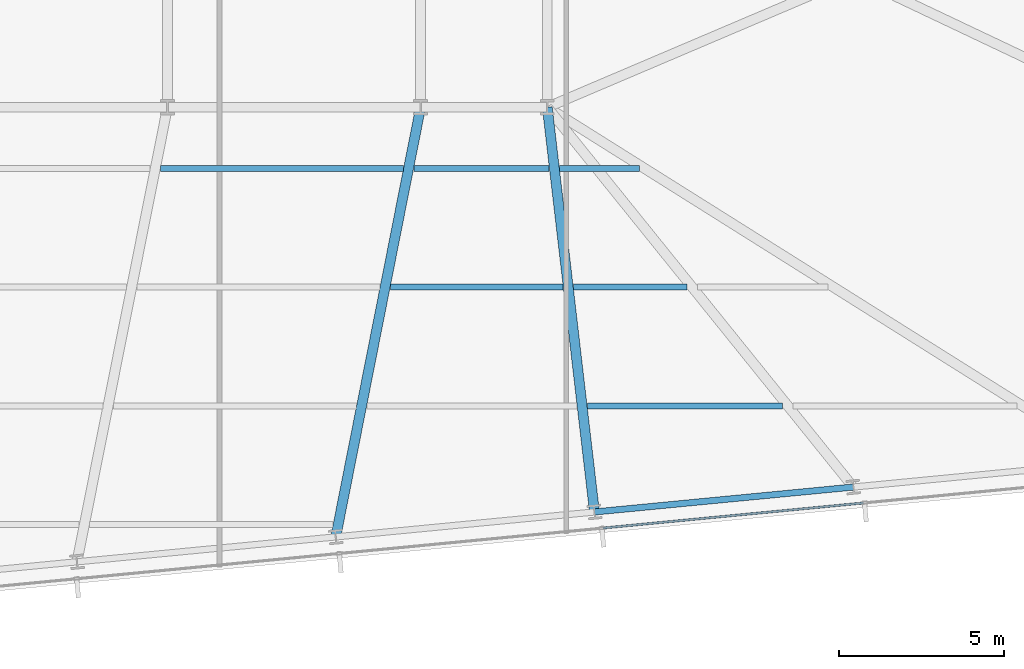
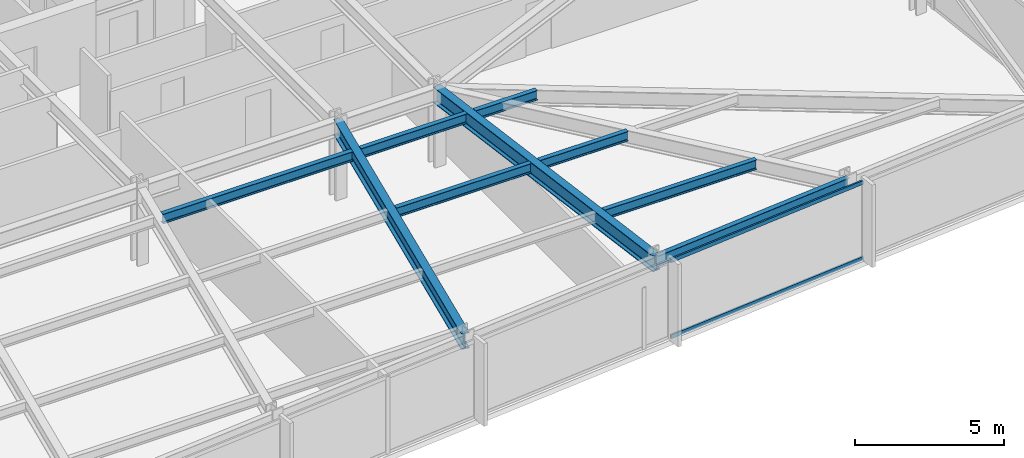
# One storey, part 11 of 32: 9 beams, 2 members, 1 element without a shape of its own.
"""IFC4 building model written with IfcOpenShell, lengths in metres."""

import ifcopenshell
import ifcopenshell.guid

model = None  # the IFC model being written
_history = None  # IfcOwnerHistory: only IFC2X3 demands one
_inside = {}  # id of a spatial element -> (the spatial element, [elements in it])
_under = {}  # id of a project, library or spatial element -> (it, [spatial elements below it])
_declared = {}  # id of a project -> (the project, [libraries it declares])
_typed = {}  # id of a type object -> (the type object, [elements of that type])
_made_of = {}  # id of a material, layer set ... -> (it, [elements and type objects made of it])


def new_model(schema):
    """Start an empty IFC model of exactly this schema.

    Asked for "IFC4X3", IfcOpenShell would pick the latest addendum, in which some entities
    have other attributes; the version numbers below select the first issue.
    IFC2X3 requires an IfcOwnerHistory on every rooted entity: one is made here for all.
    """
    global model, _history
    if schema == "IFC4X3":
        model = ifcopenshell.file(schema_version=(4, 3, 0, 0))
    else:
        model = ifcopenshell.file(schema=schema)
    _inside.clear()
    _under.clear()
    _declared.clear()
    _typed.clear()
    _made_of.clear()
    _history = None
    if model.schema == "IFC2X3":
        org = make("IfcOrganization", Name="unknown")
        user = make(
            "IfcPersonAndOrganization",
            ThePerson=make("IfcPerson", FamilyName="unknown"),
            TheOrganization=org,
        )
        app = make(
            "IfcApplication",
            ApplicationDeveloper=org,
            Version="unknown",
            ApplicationFullName="unknown",
            ApplicationIdentifier="unknown",
        )
        _history = make(
            "IfcOwnerHistory",
            OwningUser=user,
            OwningApplication=app,
            ChangeAction="ADDED",
            CreationDate=0,
        )
    return model


def make(cls, **values):
    """One entity of the class cls with the attributes given. An attribute that is None is left unset."""
    return model.create_entity(
        cls, **{name: value for name, value in values.items() if value is not None}
    )


def rooted(cls, **values):
    """An entity with a GlobalId (a new one), such as an element, a storey or a relation."""
    return make(cls, GlobalId=ifcopenshell.guid.new(), OwnerHistory=_history, **values)


def si_unit(unit_type, name, prefix=None):
    """IfcSIUnit, for example si_unit("LENGTHUNIT", "METRE", prefix="MILLI")."""
    return make("IfcSIUnit", UnitType=unit_type, Prefix=prefix, Name=name)


def assignment(units):
    """IfcUnitAssignment: the units of a project."""
    return None if units is None else make("IfcUnitAssignment", Units=units)


def point(xyz):
    """IfcCartesianPoint."""
    return None if xyz is None else make("IfcCartesianPoint", Coordinates=xyz)


def direction(xyz):
    """IfcDirection."""
    return None if xyz is None else make("IfcDirection", DirectionRatios=xyz)


def frame(location, z_axis=None, x_axis=None):
    """IfcAxis2Placement3D, a coordinate frame: its origin and axes. An axis left out is left unset."""
    return make(
        "IfcAxis2Placement3D",
        Location=point(location),
        Axis=direction(z_axis),
        RefDirection=direction(x_axis),
    )


def frame_2d(location, x_axis=None):
    """IfcAxis2Placement2D, a coordinate frame in the plane: its origin and x axis."""
    return make(
        "IfcAxis2Placement2D", Location=point(location), RefDirection=direction(x_axis)
    )


def origin():
    """The frame at (0, 0, 0) with its axes left unset."""
    return frame((0.0, 0.0, 0.0))


def origin_2d():
    """The frame at (0, 0) in the plane with its x axis left unset."""
    return frame_2d((0.0, 0.0))


def place(relative_to, where):
    """IfcLocalPlacement: puts the frame where relative to a parent placement (None: the world)."""
    return make(
        "IfcLocalPlacement", PlacementRelTo=relative_to, RelativePlacement=where
    )


def context(
    kind, dimensions, precision=None, world=None, true_north=None, identifier=None
):
    """IfcGeometricRepresentationContext, for example the 3D "Model" context."""
    return make(
        "IfcGeometricRepresentationContext",
        ContextIdentifier=identifier,
        ContextType=kind,
        CoordinateSpaceDimension=dimensions,
        Precision=precision,
        WorldCoordinateSystem=world,
        TrueNorth=true_north,
    )


def subcontext(parent, identifier, kind, view, scale=None):
    """IfcGeometricRepresentationSubContext, for example "Body" below "Model"."""
    return make(
        "IfcGeometricRepresentationSubContext",
        ContextIdentifier=identifier,
        ContextType=kind,
        ParentContext=parent,
        TargetScale=scale,
        TargetView=view,
    )


def project(units=None, contexts=None):
    """IfcProject with its units and contexts."""
    return rooted(
        "IfcProject",
        Name="project",
        RepresentationContexts=contexts,
        UnitsInContext=assignment(units),
    )


def spatial(cls, under=None, at=None, **own):
    """A site, building, storey or space (cls), placed at a placement, below another one or the project."""
    s = rooted(cls, ObjectPlacement=at, **own)
    if under is not None:
        _under.setdefault(under.id(), (under, []))[1].append(s)
    return s


def profile(cls, at=None, kind="AREA", **sizes):
    """A parametric profile (cls). Its sizes go by their IFC names, for example OverallWidth=200.0."""
    return make(cls, ProfileType=kind, Position=at, **sizes)


def hollow_rectangle(**sizes):
    """IfcRectangleHollowProfileDef."""
    return profile("IfcRectangleHollowProfileDef", **sizes)


def i_section(**sizes):
    """IfcIShapeProfileDef."""
    return profile("IfcIShapeProfileDef", **sizes)


def extrude(swept, where, along, depth):
    """IfcExtrudedAreaSolid: the profile swept, set in the frame where, extruded along a direction by depth."""
    return make(
        "IfcExtrudedAreaSolid",
        SweptArea=swept,
        Position=where,
        ExtrudedDirection=direction(along),
        Depth=depth,
    )


def shape(context_of_items, identifier, shape_type, items):
    """IfcShapeRepresentation: the items that make up one representation, for example the "Body"."""
    return make(
        "IfcShapeRepresentation",
        ContextOfItems=context_of_items,
        RepresentationIdentifier=identifier,
        RepresentationType=shape_type,
        Items=items,
    )


def material(Name=None, Category=None):
    """IfcMaterial."""
    return make("IfcMaterial", Name=Name, Category=Category)


def material_profile(
    of_material, cross_section, Name=None, Category=None, Priority=None
):
    """IfcMaterialProfile: a cross section and its material."""
    return make(
        "IfcMaterialProfile",
        Name=Name,
        Material=of_material,
        Profile=cross_section,
        Priority=Priority,
        Category=Category,
    )


def profile_set(profiles, Name=None, composite=None):
    """IfcMaterialProfileSet."""
    return make(
        "IfcMaterialProfileSet",
        Name=Name,
        MaterialProfiles=profiles,
        CompositeProfile=composite,
    )


def made_of(thing, what):
    """Note that an element or type object is made of a material, layer set ...; save() writes the relation."""
    if what is not None:
        _made_of.setdefault(what.id(), (what, []))[1].append(thing)
    return thing


def type_object(cls, material=None, **own):
    """A type object (cls), such as IfcWallType, which elements share."""
    return made_of(rooted(cls, **own), material)


def element(
    cls,
    number,
    at=None,
    inside=None,
    cuts=None,
    type_object=None,
    material=None,
    context=None,
    identifier="Body",
    shape_type=None,
    held_by="IfcProductDefinitionShape",
    body=None,
    shapes=None,
    **own,
):
    """One element of the class cls, such as IfcWall. Its Tag is "e" and its number.

    at: its placement. inside: the storey or other place that contains it. cuts: it is an
    opening in that element (IfcRelVoidsElement). A single representation is given by context,
    identifier, shape_type and body (its items); several are given by shapes. held_by: the class
    of the entity that holds the representations. save() writes the other relations.
    """
    e = rooted(cls, Tag="e%d" % number, ObjectPlacement=at, **own)
    if body is not None:
        shapes = [shape(context, identifier, shape_type, body)]
    if shapes is not None:
        e.Representation = make(held_by, Representations=shapes)
    if inside is not None:
        _inside.setdefault(inside.id(), (inside, []))[1].append(e)
    if cuts is not None:
        rooted(
            "IfcRelVoidsElement", RelatingBuildingElement=cuts, RelatedOpeningElement=e
        )
    if type_object is not None:
        _typed.setdefault(type_object.id(), (type_object, []))[1].append(e)
    return made_of(e, material)


def aggregate(whole, parts):
    """IfcRelAggregates: a whole, such as a stair, and the parts it consists of."""
    return rooted("IfcRelAggregates", RelatingObject=whole, RelatedObjects=parts)


def save(model, path):
    """Write the relations noted so far, then the file.

    IfcRelAggregates (storeys below a building ...), IfcRelContainedInSpatialStructure (elements
    in a storey), IfcRelDefinesByType, IfcRelAssociatesMaterial and IfcRelDeclares: one each for
    every whole, place, type object, material and project.
    """
    for whole, parts in _under.values():
        aggregate(whole, parts)
    for where, things in _inside.values():
        rooted(
            "IfcRelContainedInSpatialStructure",
            RelatedElements=things,
            RelatingStructure=where,
        )
    for kind, things in _typed.values():
        rooted("IfcRelDefinesByType", RelatedObjects=things, RelatingType=kind)
    for what, things in _made_of.values():
        rooted("IfcRelAssociatesMaterial", RelatedObjects=things, RelatingMaterial=what)
    for by, libraries in _declared.values():
        rooted("IfcRelDeclares", RelatingContext=by, RelatedDefinitions=libraries)
    model.write(path)


model = new_model("IFC4")

# Units and contexts
model_context = context("Model", 3, precision=1e-05, world=origin(), true_north=direction((0.0, 1.0)))
body_context = subcontext(model_context, "Body", "Model", "MODEL_VIEW")
ifc_project = project(units=[si_unit("LENGTHUNIT", "METRE"), si_unit("AREAUNIT", "SQUARE_METRE"), si_unit("VOLUMEUNIT", "CUBIC_METRE"), si_unit("PLANEANGLEUNIT", "RADIAN"), si_unit("MASSUNIT", "GRAM", prefix="KILO")], contexts=[model_context])

# Site, building, storey
site_placement = place(None, origin())
site = spatial("IfcSite", under=ifc_project, at=site_placement, CompositionType="ELEMENT")
building_placement = place(site_placement, origin())
building = spatial("IfcBuilding", under=site, at=building_placement, Name="Yelkora Congress Tower", CompositionType="ELEMENT")
storey_placement = place(building_placement, frame((0.0, 0.0, 113.5)))
storey = spatial("IfcBuildingStorey", under=building, at=storey_placement, Name="L30", CompositionType="ELEMENT", Elevation=113.5)

# Beams
ifc_material_1 = material(Name="Steel S355J2", Category="steel")
ifc_material_profile_1 = material_profile(ifc_material_1, i_section(OverallWidth=0.300048828125, OverallDepth=0.64990234375, WebThickness=0.01611328125, FlangeThickness=0.031005859375, FilletRadius=0.027099609375, at=origin_2d()), Name="HEB 650")
ifc_profile_set_1 = profile_set([ifc_material_profile_1], Name="Steel S355J2")
beam_type_1 = type_object("IfcBeamType", Name="BM-GIRD-HEB650", PredefinedType="BEAM", material=ifc_profile_set_1)
beam_1_placement = place(storey_placement, frame((51.18359375, 12.16748046875, 2.85498046875), z_axis=(0.193938615251, 0.981013666324, 0.0), x_axis=(-0.981013666324, 0.193938615251, 0.0)))
element("IfcBeam", 1, at=beam_1_placement, inside=storey, type_object=beam_type_1, Name="L30 Primary Frame Girder S05", PredefinedType="BEAM", context=body_context, shape_type="SweptSolid", body=[
    extrude(i_section(OverallWidth=0.300048828125, OverallDepth=0.64990234375, WebThickness=0.01611328125, FlangeThickness=0.031005859375, FilletRadius=0.027099609375, at=origin_2d()), origin(), (0.0, 0.0, 1.0), 13.28466796875),
])
beam_2_placement = place(storey_placement, frame((59.033203125, 12.92333984375, 2.85498046875), z_axis=(-0.115947280821, 0.993255369011, 0.0), x_axis=(-0.993255369011, -0.115947280821, 0.0)))
element("IfcBeam", 2, at=beam_2_placement, inside=storey, type_object=beam_type_1, Name="L30 Primary Frame Girder S06", PredefinedType="BEAM", context=body_context, shape_type="SweptSolid", body=[
    extrude(i_section(OverallWidth=0.300048828125, OverallDepth=0.64990234375, WebThickness=0.01611328125, FlangeThickness=0.031005859375, FilletRadius=0.027099609375, at=origin_2d()), origin(), (0.0, 0.0, 1.0), 12.35986328125),
])
ifc_material_profile_2 = material_profile(ifc_material_1, i_section(OverallWidth=0.179931640625, OverallDepth=0.39990234375, WebThickness=0.008544921875, FlangeThickness=0.013427734375, FilletRadius=0.02099609375, at=origin_2d()), Name="IPE 400")
ifc_profile_set_2 = profile_set([ifc_material_profile_2], Name="Steel S355J2")
beam_type_2 = type_object("IfcBeamType", Name="BM-JOIST-IPE400", PredefinedType="JOIST", material=ifc_profile_set_2)
beam_3_placement = place(storey_placement, frame((58.817138671875, 16.144287109375, 2.97998046875), z_axis=(1.0, 0.0, 0.0), x_axis=(0.0, 1.0, 0.0)))
element("IfcBeam", 3, at=beam_3_placement, inside=storey, type_object=beam_type_2, Name="L30 Composite Floor Joist 9", PredefinedType="JOIST", context=body_context, shape_type="SweptSolid", body=[
    extrude(i_section(OverallWidth=0.179931640625, OverallDepth=0.39990234375, WebThickness=0.008544921875, FlangeThickness=0.013427734375, FilletRadius=0.02099609375, at=origin_2d()), origin(), (0.0, 0.0, 1.0), 5.919189453125),
])
beam_4_placement = place(storey_placement, frame((52.841552734375, 19.744384765625, 2.97998046875), z_axis=(1.0, 0.0, 0.0), x_axis=(0.0, 1.0, 0.0)))
element("IfcBeam", 4, at=beam_4_placement, inside=storey, type_object=beam_type_2, Name="L30 Composite Floor Joist 15", PredefinedType="JOIST", context=body_context, shape_type="SweptSolid", body=[
    extrude(i_section(OverallWidth=0.179931640625, OverallDepth=0.39990234375, WebThickness=0.008544921875, FlangeThickness=0.013427734375, FilletRadius=0.02099609375, at=origin_2d()), origin(), (0.0, 0.0, 1.0), 5.2353515625),
])
beam_5_placement = place(storey_placement, frame((58.39697265625, 19.744384765625, 2.97998046875), z_axis=(1.0, 0.0, 0.0), x_axis=(0.0, 1.0, 0.0)))
element("IfcBeam", 5, at=beam_5_placement, inside=storey, type_object=beam_type_2, Name="L30 Composite Floor Joist 16", PredefinedType="JOIST", context=body_context, shape_type="SweptSolid", body=[
    extrude(i_section(OverallWidth=0.179931640625, OverallDepth=0.39990234375, WebThickness=0.008544921875, FlangeThickness=0.013427734375, FilletRadius=0.02099609375, at=origin_2d()), origin(), (0.0, 0.0, 1.0), 3.438720703125),
])
beam_6_placement = place(storey_placement, frame((45.87060546875, 23.344482421875, 2.97998046875), z_axis=(1.0, 0.0, 0.0), x_axis=(0.0, 1.0, 0.0)))
element("IfcBeam", 6, at=beam_6_placement, inside=storey, type_object=beam_type_2, Name="L30 Composite Floor Joist 21", PredefinedType="JOIST", context=body_context, shape_type="SweptSolid", body=[
    extrude(i_section(OverallWidth=0.179931640625, OverallDepth=0.39990234375, WebThickness=0.008544921875, FlangeThickness=0.013427734375, FilletRadius=0.02099609375, at=origin_2d()), origin(), (0.0, 0.0, 1.0), 7.362548828125),
])
beam_7_placement = place(storey_placement, frame((53.55322265625, 23.344482421875, 2.97998046875), z_axis=(1.0, 0.0, 0.0), x_axis=(0.0, 1.0, 0.0)))
element("IfcBeam", 7, at=beam_7_placement, inside=storey, type_object=beam_type_2, Name="L30 Composite Floor Joist 22", PredefinedType="JOIST", context=body_context, shape_type="SweptSolid", body=[
    extrude(i_section(OverallWidth=0.179931640625, OverallDepth=0.39990234375, WebThickness=0.008544921875, FlangeThickness=0.013427734375, FilletRadius=0.02099609375, at=origin_2d()), origin(), (0.0, 0.0, 1.0), 4.103271484375),
])
beam_8_placement = place(storey_placement, frame((57.9765625, 23.344482421875, 2.97998046875), z_axis=(1.0, 0.0, 0.0), x_axis=(0.0, 1.0, 0.0)))
element("IfcBeam", 8, at=beam_8_placement, inside=storey, type_object=beam_type_2, Name="L30 Composite Floor Joist 23", PredefinedType="JOIST", context=body_context, shape_type="SweptSolid", body=[
    extrude(i_section(OverallWidth=0.179931640625, OverallDepth=0.39990234375, WebThickness=0.008544921875, FlangeThickness=0.013427734375, FilletRadius=0.02099609375, at=origin_2d()), origin(), (0.0, 0.0, 1.0), 2.41650390625),
])
ifc_material_profile_3 = material_profile(ifc_material_1, i_section(OverallWidth=0.18994140625, OverallDepth=0.449951171875, WebThickness=0.009521484375, FlangeThickness=0.0146484375, FilletRadius=0.02099609375, at=origin_2d()), Name="IPE 450")
ifc_profile_set_3 = profile_set([ifc_material_profile_3], Name="Steel S355J2")
beam_type_3 = type_object("IfcBeamType", Name="BM-SPAN-IPE450", PredefinedType="SPANDREL", material=ifc_profile_set_3)
beam_9_placement = place(storey_placement, frame((59.033203125, 12.92333984375, 2.955078125), z_axis=(0.995395575667, 0.095852219286, 0.0), x_axis=(-0.095852219286, 0.995395575667, 0.0)))
element("IfcBeam", 9, at=beam_9_placement, inside=storey, type_object=beam_type_3, Name="L30 Perimeter Beam 8", PredefinedType="SPANDREL", context=body_context, shape_type="SweptSolid", body=[
    extrude(i_section(OverallWidth=0.18994140625, OverallDepth=0.449951171875, WebThickness=0.009521484375, FlangeThickness=0.0146484375, FilletRadius=0.02099609375, at=origin_2d()), origin(), (0.0, 0.0, 1.0), 7.8857421875),
])

# Curtain wall, members
ifc_material_2 = material(Name="Anodised aluminium and insulated glass", Category="aluminium")
curtain_wall_type = type_object("IfcCurtainWallType", Name="CW-SYS-B2", PredefinedType="NOTDEFINED", material=ifc_material_2)
curtain_wall_placement = place(storey_placement, origin())
curtain_wall = element("IfcCurtainWall", 10, at=curtain_wall_placement, inside=storey, type_object=curtain_wall_type, Name="L30 Unitised Curtain Wall 20", PredefinedType="NOTDEFINED")
ifc_material_3 = material(Name="Anodised aluminium 6063-T6", Category="aluminium")
ifc_material_profile_4 = material_profile(ifc_material_3, hollow_rectangle(XDim=0.06494140625, YDim=0.159912109375, WallThickness=0.00390625, at=origin_2d()), Name="ALU 65x160x4")
ifc_profile_set_4 = profile_set([ifc_material_profile_4], Name="Anodised aluminium 6063-T6")
member_type = type_object("IfcMemberType", Name="MEM-TR-B2", PredefinedType="USERDEFINED", material=ifc_profile_set_4)
member_1_placement = place(storey_placement, frame((67.18798828125, 13.1962890625, 0.032470703125), z_axis=(-0.995397293396, -0.095834379534, 0.0), x_axis=(0.095834379534, -0.995397293396, 0.0)))
member_1 = element("IfcMember", 11, at=member_1_placement, type_object=member_type, Name="CW-B2 transom 2.1", ObjectType="TRANSOM", PredefinedType="USERDEFINED", context=body_context, shape_type="SweptSolid", body=[
    extrude(hollow_rectangle(XDim=0.06494140625, YDim=0.159912109375, WallThickness=0.00390625, at=origin_2d()), origin(), (0.0, 0.0, 1.0), 7.93310546875),
])
member_2_placement = place(storey_placement, frame((67.18798828125, 13.1962890625, 3.1474609375), z_axis=(-0.995397293396, -0.095834379534, 0.0), x_axis=(0.095834379534, -0.995397293396, 0.0)))
member_2 = element("IfcMember", 12, at=member_2_placement, type_object=member_type, Name="CW-B2 transom 2.2", ObjectType="TRANSOM", PredefinedType="USERDEFINED", context=body_context, shape_type="SweptSolid", body=[
    extrude(hollow_rectangle(XDim=0.06494140625, YDim=0.159912109375, WallThickness=0.00390625, at=origin_2d()), origin(), (0.0, 0.0, 1.0), 7.93310546875),
])
aggregate(curtain_wall, [member_1, member_2])

save(model, "model.ifc")
